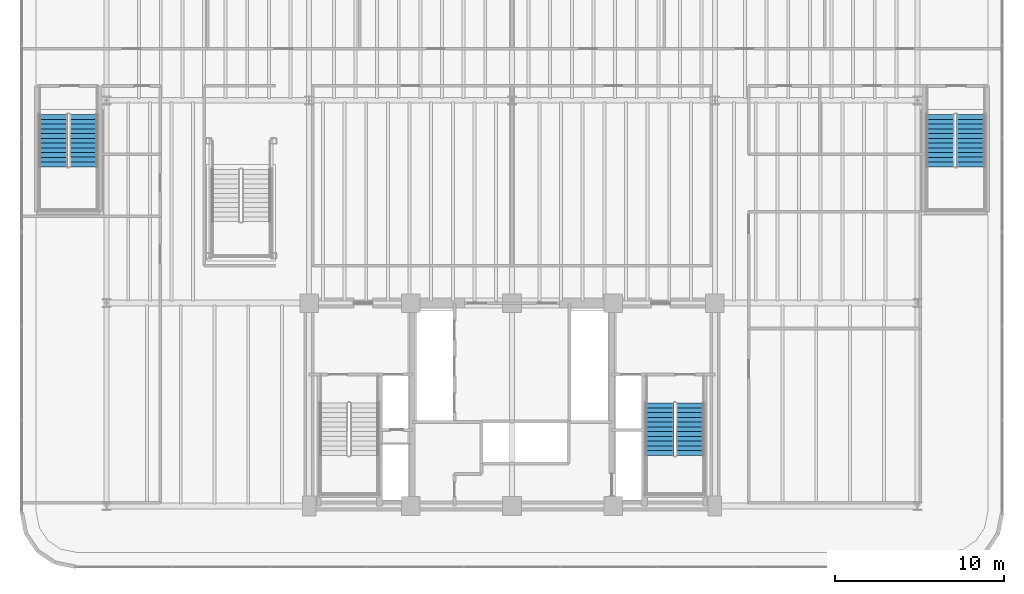
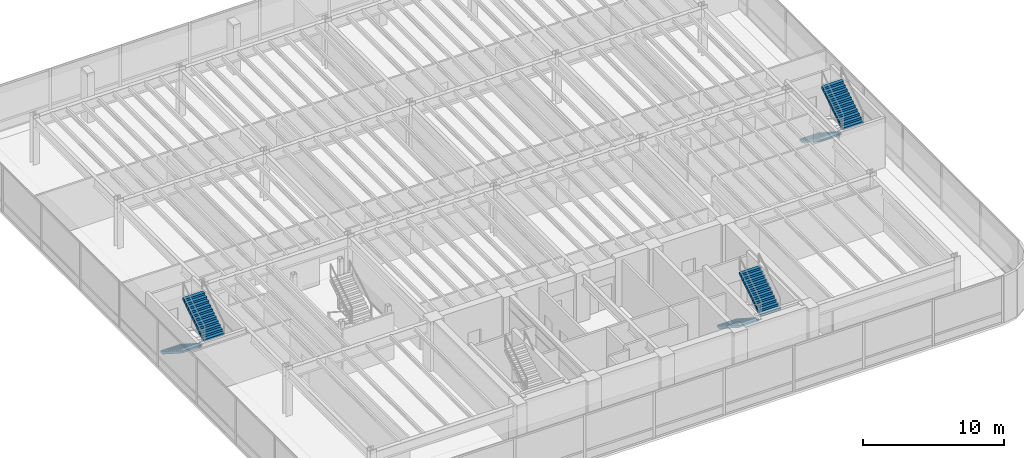
# One storey, part 15 of 18: 6 stair flights, 3 elements without a shape of their own.
"""IFC4 building model written with IfcOpenShell, lengths in metres."""

from ifc_helpers import new_model, si_unit, direction, frame, origin, place, context, subcontext, project, spatial, polyline, outline, extrude, material, type_object, element, aggregate, save


model = new_model("IFC4")

# Units and contexts
model_context = context("Model", 3, precision=1e-05, world=origin(), true_north=direction((0.0, 1.0)))
body_context = subcontext(model_context, "Body", "Model", "MODEL_VIEW")
ifc_project = project(units=[si_unit("LENGTHUNIT", "METRE"), si_unit("AREAUNIT", "SQUARE_METRE"), si_unit("VOLUMEUNIT", "CUBIC_METRE"), si_unit("PLANEANGLEUNIT", "RADIAN"), si_unit("MASSUNIT", "GRAM", prefix="KILO")], contexts=[model_context])

# Site, building, storey
site_placement = place(None, origin())
site = spatial("IfcSite", under=ifc_project, at=site_placement, CompositionType="ELEMENT")
building_placement = place(site_placement, origin())
building = spatial("IfcBuilding", under=site, at=building_placement, Name="Brelvock Crest Care Tower", CompositionType="ELEMENT")
storey_placement = place(building_placement, frame((0.0, 0.0, 5.39990234375)))
storey = spatial("IfcBuildingStorey", under=building, at=storey_placement, Name="L01", CompositionType="ELEMENT", Elevation=5.39990234375)

# Stair, stair flights
ifc_material = material(Name="Concrete N40 (40 MPa)", Category="concrete")
stair_type_1 = type_object("IfcStairType", Name="ST-CORE1", PredefinedType="HALF_TURN_STAIR", material=ifc_material)
stair_1_placement = place(storey_placement, origin())
stair_1 = element("IfcStair", 1, at=stair_1_placement, inside=storey, type_object=stair_type_1, Name="L01 Fire-Isolated Core Stair ST-2", PredefinedType="HALF_TURN_STAIR")
stair_flight_type_1 = type_object("IfcStairFlightType", Name="STF-1", PredefinedType="STRAIGHT", material=ifc_material)
stair_flight_1_placement = place(storey_placement, frame((44.72998046875, 12.080078125, 0.0), z_axis=(0.0, 0.0, 1.0), x_axis=(0.0, -1.0, 0.0)))
stair_flight_1 = element("IfcStairFlight", 2, at=stair_flight_1_placement, type_object=stair_flight_type_1, Name="ST-2 flight 1", NumberOfRisers=12, NumberOfTreads=11, PredefinedType="STRAIGHT", RiserHeight=0.18, TreadLength=0.28, context=body_context, shape_type="SweptSolid", body=[
    extrude(outline(polyline([(-0.00390625, -0.014892578125), (-0.00390625, -0.008056640625), (-0.00390625, -0.0009765625), (-0.00390625, 0.005859375), (-0.00390625, 0.012939453125), (-0.00390625, 0.019775390625), (-0.00390625, 0.02685546875), (-0.00390625, 0.03369140625), (-0.00390625, 0.040771484375), (-0.00390625, 0.047607421875), (-0.00390625, 0.0546875), (-0.00390625, 0.0615234375), (-0.00390625, 0.068603515625), (-0.00390625, 0.075439453125), (-0.00390625, 0.08251953125), (-0.00390625, 0.08935546875), (-0.00390625, 0.096435546875), (-0.00390625, 0.103271484375), (-0.00390625, 0.1103515625), (-0.00390625, 0.117431640625), (-0.00390625, 0.124267578125), (-0.00390625, 0.13134765625), (-0.00390625, 0.13818359375), (-0.00390625, 0.145263671875), (-0.00390625, 0.152099609375), (-0.00390625, 0.1591796875), (-0.00390625, 0.166015625), (-0.00390625, 0.173095703125), (-0.00390625, 0.179931640625), (0.0, 0.179931640625), (0.280029296875, 0.179931640625), (0.280029296875, 0.360107421875), (0.56005859375, 0.360107421875), (0.56005859375, 0.5400390625), (0.840087890625, 0.5400390625), (0.840087890625, 0.719970703125), (1.1201171875, 0.719970703125), (1.1201171875, 0.89990234375), (1.39990234375, 0.89990234375), (1.39990234375, 1.080078125), (1.679931640625, 1.080078125), (1.679931640625, 1.260009765625), (1.9599609375, 1.260009765625), (1.9599609375, 1.43994140625), (2.239990234375, 1.43994140625), (2.239990234375, 1.6201171875), (2.52001953125, 1.6201171875), (2.52001953125, 1.800048828125), (2.800048828125, 1.800048828125), (2.800048828125, 1.97998046875), (3.080078125, 1.97998046875), (3.083984375, 1.97998046875), (3.083740234375, 1.979248046875), (3.083984375, 1.978759765625), (3.083740234375, 1.97802734375), (3.083984375, 1.9775390625), (3.083740234375, 1.976806640625), (3.083984375, 1.97607421875), (3.083740234375, 1.9755859375), (3.083984375, 1.974853515625), (3.083740234375, 1.97412109375), (3.083984375, 1.9736328125), (3.083740234375, 1.972900390625), (3.083984375, 1.97216796875), (3.083740234375, 1.9716796875), (3.083984375, 1.970947265625), (3.083740234375, 1.970458984375), (3.083984375, 1.9697265625), (3.083740234375, 1.968994140625), (3.083984375, 1.968505859375), (3.083740234375, 1.9677734375), (3.083984375, 1.967041015625), (3.083740234375, 1.966552734375), (3.083984375, 1.9658203125), (3.083740234375, 1.96533203125), (3.083984375, 1.964599609375), (3.083740234375, 1.9638671875), (3.083984375, 1.96337890625), (3.083740234375, 1.962646484375), (3.083984375, 1.9619140625), (3.080078125, 1.8017578125), (0.277099609375, 0.0), (0.0, 0.0), (0.0, -0.014892578125), (-0.00390625, -0.014892578125)])), frame((0.0, 0.83984375, 0.0), z_axis=(0.0, -1.0, 0.0), x_axis=(1.0, 0.0, 0.0)), (0.0, 0.0, 1.0), 1.679931640625),
])
stair_flight_2_placement = place(storey_placement, frame((46.530029296875, 9.0, 2.16015625), z_axis=(0.0, 0.0, 1.0), x_axis=(0.0, 1.0, 0.0)))
stair_flight_2 = element("IfcStairFlight", 3, at=stair_flight_2_placement, type_object=stair_flight_type_1, Name="ST-2 flight 2", NumberOfRisers=12, NumberOfTreads=11, PredefinedType="STRAIGHT", RiserHeight=0.18, TreadLength=0.28, context=body_context, shape_type="SweptSolid", body=[
    extrude(outline(polyline([(-0.00390625, -0.014892578125), (-0.00390625, -0.008056640625), (-0.00390625, -0.0009765625), (-0.00390625, 0.005859375), (-0.00390625, 0.012939453125), (-0.00390625, 0.019775390625), (-0.00390625, 0.02685546875), (-0.00390625, 0.03369140625), (-0.00390625, 0.040771484375), (-0.00390625, 0.047607421875), (-0.00390625, 0.0546875), (-0.00390625, 0.0615234375), (-0.00390625, 0.068603515625), (-0.00390625, 0.075439453125), (-0.00390625, 0.08251953125), (-0.00390625, 0.08935546875), (-0.00390625, 0.096435546875), (-0.00390625, 0.103271484375), (-0.00390625, 0.1103515625), (-0.00390625, 0.117431640625), (-0.00390625, 0.124267578125), (-0.00390625, 0.13134765625), (-0.00390625, 0.13818359375), (-0.00390625, 0.145263671875), (-0.00390625, 0.152099609375), (-0.00390625, 0.1591796875), (-0.00390625, 0.166015625), (-0.00390625, 0.173095703125), (-0.00390625, 0.179931640625), (0.0, 0.179931640625), (0.280029296875, 0.179931640625), (0.280029296875, 0.360107421875), (0.56005859375, 0.360107421875), (0.56005859375, 0.5400390625), (0.840087890625, 0.5400390625), (0.840087890625, 0.719970703125), (1.1201171875, 0.719970703125), (1.1201171875, 0.89990234375), (1.39990234375, 0.89990234375), (1.39990234375, 1.080078125), (1.679931640625, 1.080078125), (1.679931640625, 1.260009765625), (1.9599609375, 1.260009765625), (1.9599609375, 1.43994140625), (2.239990234375, 1.43994140625), (2.239990234375, 1.6201171875), (2.52001953125, 1.6201171875), (2.52001953125, 1.800048828125), (2.800048828125, 1.800048828125), (2.800048828125, 1.97998046875), (3.080078125, 1.97998046875), (3.083984375, 1.97998046875), (3.083740234375, 1.979248046875), (3.083984375, 1.978759765625), (3.083740234375, 1.97802734375), (3.083984375, 1.9775390625), (3.083740234375, 1.976806640625), (3.083984375, 1.97607421875), (3.083740234375, 1.9755859375), (3.083984375, 1.974853515625), (3.083740234375, 1.97412109375), (3.083984375, 1.9736328125), (3.083740234375, 1.972900390625), (3.083984375, 1.97216796875), (3.083740234375, 1.9716796875), (3.083984375, 1.970947265625), (3.083740234375, 1.970458984375), (3.083984375, 1.9697265625), (3.083740234375, 1.968994140625), (3.083984375, 1.968505859375), (3.083740234375, 1.9677734375), (3.083984375, 1.967041015625), (3.083740234375, 1.966552734375), (3.083984375, 1.9658203125), (3.083740234375, 1.96533203125), (3.083984375, 1.964599609375), (3.083740234375, 1.9638671875), (3.083984375, 1.96337890625), (3.083740234375, 1.962646484375), (3.083984375, 1.9619140625), (3.080078125, 1.8017578125), (0.277099609375, 0.0), (0.0, 0.0), (0.0, -0.014892578125), (-0.00390625, -0.014892578125)])), frame((0.0, 0.83984375, 0.0), z_axis=(0.0, -1.0, 0.0), x_axis=(1.0, 0.0, 0.0)), (0.0, 0.0, 1.0), 1.679931640625),
])
aggregate(stair_1, [stair_flight_1, stair_flight_2])

stair_type_2 = type_object("IfcStairType", Name="ST-POD1", PredefinedType="HALF_TURN_STAIR", material=ifc_material)
stair_2_placement = place(storey_placement, origin())
stair_2 = element("IfcStair", 4, at=stair_2_placement, inside=storey, type_object=stair_type_2, Name="L01 Podium West Fire Stair ST-3", PredefinedType="HALF_TURN_STAIR")
stair_flight_type_2 = type_object("IfcStairFlightType", Name="STF-2", PredefinedType="STRAIGHT", material=ifc_material)
stair_flight_3_placement = place(storey_placement, frame((8.85009765625, 29.14990234375, 0.0), z_axis=(0.0, 0.0, 1.0), x_axis=(0.0, -1.0, 0.0)))
stair_flight_3 = element("IfcStairFlight", 5, at=stair_flight_3_placement, type_object=stair_flight_type_2, Name="ST-3 flight 1", NumberOfRisers=12, NumberOfTreads=11, PredefinedType="STRAIGHT", RiserHeight=0.18, TreadLength=0.28, context=body_context, shape_type="SweptSolid", body=[
    extrude(outline(polyline([(-0.00390625, -0.014892578125), (-0.00390625, -0.008056640625), (-0.00390625, -0.0009765625), (-0.00390625, 0.005859375), (-0.00390625, 0.012939453125), (-0.00390625, 0.019775390625), (-0.00390625, 0.02685546875), (-0.00390625, 0.03369140625), (-0.00390625, 0.040771484375), (-0.00390625, 0.047607421875), (-0.00390625, 0.0546875), (-0.00390625, 0.0615234375), (-0.00390625, 0.068603515625), (-0.00390625, 0.075439453125), (-0.00390625, 0.08251953125), (-0.00390625, 0.08935546875), (-0.00390625, 0.096435546875), (-0.00390625, 0.103271484375), (-0.00390625, 0.1103515625), (-0.00390625, 0.117431640625), (-0.00390625, 0.124267578125), (-0.00390625, 0.13134765625), (-0.00390625, 0.13818359375), (-0.00390625, 0.145263671875), (-0.00390625, 0.152099609375), (-0.00390625, 0.1591796875), (-0.00390625, 0.166015625), (-0.00390625, 0.173095703125), (-0.00390625, 0.179931640625), (0.0, 0.179931640625), (0.280029296875, 0.179931640625), (0.280029296875, 0.360107421875), (0.56005859375, 0.360107421875), (0.56005859375, 0.5400390625), (0.840087890625, 0.5400390625), (0.840087890625, 0.719970703125), (1.1201171875, 0.719970703125), (1.1201171875, 0.89990234375), (1.39990234375, 0.89990234375), (1.39990234375, 1.080078125), (1.679931640625, 1.080078125), (1.679931640625, 1.260009765625), (1.9599609375, 1.260009765625), (1.9599609375, 1.43994140625), (2.239990234375, 1.43994140625), (2.239990234375, 1.6201171875), (2.52001953125, 1.6201171875), (2.52001953125, 1.800048828125), (2.800048828125, 1.800048828125), (2.800048828125, 1.97998046875), (3.080078125, 1.97998046875), (3.083984375, 1.97998046875), (3.083740234375, 1.979248046875), (3.083984375, 1.978759765625), (3.083740234375, 1.97802734375), (3.083984375, 1.9775390625), (3.083740234375, 1.976806640625), (3.083984375, 1.97607421875), (3.083740234375, 1.9755859375), (3.083984375, 1.974853515625), (3.083740234375, 1.97412109375), (3.083984375, 1.9736328125), (3.083740234375, 1.972900390625), (3.083984375, 1.97216796875), (3.083740234375, 1.9716796875), (3.083984375, 1.970947265625), (3.083740234375, 1.970458984375), (3.083984375, 1.9697265625), (3.083740234375, 1.968994140625), (3.083984375, 1.968505859375), (3.083740234375, 1.9677734375), (3.083984375, 1.967041015625), (3.083740234375, 1.966552734375), (3.083984375, 1.9658203125), (3.083740234375, 1.96533203125), (3.083984375, 1.964599609375), (3.083740234375, 1.9638671875), (3.083984375, 1.96337890625), (3.083740234375, 1.962646484375), (3.083984375, 1.9619140625), (3.080078125, 1.8017578125), (0.277099609375, 0.0), (0.0, 0.0), (0.0, -0.014892578125), (-0.00390625, -0.014892578125)])), frame((0.0, 0.83984375, 0.0), z_axis=(0.0, -1.0, 0.0), x_axis=(1.0, 0.0, 0.0)), (0.0, 0.0, 1.0), 1.679931640625),
])
stair_flight_4_placement = place(storey_placement, frame((10.64990234375, 26.070068359375, 2.16015625), z_axis=(0.0, 0.0, 1.0), x_axis=(0.0, 1.0, 0.0)))
stair_flight_4 = element("IfcStairFlight", 6, at=stair_flight_4_placement, type_object=stair_flight_type_2, Name="ST-3 flight 2", NumberOfRisers=12, NumberOfTreads=11, PredefinedType="STRAIGHT", RiserHeight=0.18, TreadLength=0.28, context=body_context, shape_type="SweptSolid", body=[
    extrude(outline(polyline([(-0.00390625, -0.014892578125), (-0.00390625, -0.008056640625), (-0.00390625, -0.0009765625), (-0.00390625, 0.005859375), (-0.00390625, 0.012939453125), (-0.00390625, 0.019775390625), (-0.00390625, 0.02685546875), (-0.00390625, 0.03369140625), (-0.00390625, 0.040771484375), (-0.00390625, 0.047607421875), (-0.00390625, 0.0546875), (-0.00390625, 0.0615234375), (-0.00390625, 0.068603515625), (-0.00390625, 0.075439453125), (-0.00390625, 0.08251953125), (-0.00390625, 0.08935546875), (-0.00390625, 0.096435546875), (-0.00390625, 0.103271484375), (-0.00390625, 0.1103515625), (-0.00390625, 0.117431640625), (-0.00390625, 0.124267578125), (-0.00390625, 0.13134765625), (-0.00390625, 0.13818359375), (-0.00390625, 0.145263671875), (-0.00390625, 0.152099609375), (-0.00390625, 0.1591796875), (-0.00390625, 0.166015625), (-0.00390625, 0.173095703125), (-0.00390625, 0.179931640625), (0.0, 0.179931640625), (0.280029296875, 0.179931640625), (0.280029296875, 0.360107421875), (0.56005859375, 0.360107421875), (0.56005859375, 0.5400390625), (0.840087890625, 0.5400390625), (0.840087890625, 0.719970703125), (1.1201171875, 0.719970703125), (1.1201171875, 0.89990234375), (1.39990234375, 0.89990234375), (1.39990234375, 1.080078125), (1.679931640625, 1.080078125), (1.679931640625, 1.260009765625), (1.9599609375, 1.260009765625), (1.9599609375, 1.43994140625), (2.239990234375, 1.43994140625), (2.239990234375, 1.6201171875), (2.52001953125, 1.6201171875), (2.52001953125, 1.800048828125), (2.800048828125, 1.800048828125), (2.800048828125, 1.97998046875), (3.080078125, 1.97998046875), (3.083984375, 1.97998046875), (3.083740234375, 1.979248046875), (3.083984375, 1.978759765625), (3.083740234375, 1.97802734375), (3.083984375, 1.9775390625), (3.083740234375, 1.976806640625), (3.083984375, 1.97607421875), (3.083740234375, 1.9755859375), (3.083984375, 1.974853515625), (3.083740234375, 1.97412109375), (3.083984375, 1.9736328125), (3.083740234375, 1.972900390625), (3.083984375, 1.97216796875), (3.083740234375, 1.9716796875), (3.083984375, 1.970947265625), (3.083740234375, 1.970458984375), (3.083984375, 1.9697265625), (3.083740234375, 1.968994140625), (3.083984375, 1.968505859375), (3.083740234375, 1.9677734375), (3.083984375, 1.967041015625), (3.083740234375, 1.966552734375), (3.083984375, 1.9658203125), (3.083740234375, 1.96533203125), (3.083984375, 1.964599609375), (3.083740234375, 1.9638671875), (3.083984375, 1.96337890625), (3.083740234375, 1.962646484375), (3.083984375, 1.9619140625), (3.080078125, 1.8017578125), (0.277099609375, 0.0), (0.0, 0.0), (0.0, -0.014892578125), (-0.00390625, -0.014892578125)])), frame((0.0, 0.83984375, 0.0), z_axis=(0.0, -1.0, 0.0), x_axis=(1.0, 0.0, 0.0)), (0.0, 0.0, 1.0), 1.679931640625),
])
aggregate(stair_2, [stair_flight_3, stair_flight_4])

stair_3_placement = place(storey_placement, origin())
stair_3 = element("IfcStair", 7, at=stair_3_placement, inside=storey, type_object=stair_type_2, Name="L01 Podium East Fire Stair ST-4", PredefinedType="HALF_TURN_STAIR")
stair_flight_5_placement = place(storey_placement, frame((61.35009765625, 29.14990234375, 0.0), z_axis=(0.0, 0.0, 1.0), x_axis=(0.0, -1.0, 0.0)))
stair_flight_5 = element("IfcStairFlight", 8, at=stair_flight_5_placement, type_object=stair_flight_type_2, Name="ST-4 flight 1", NumberOfRisers=12, NumberOfTreads=11, PredefinedType="STRAIGHT", RiserHeight=0.18, TreadLength=0.28, context=body_context, shape_type="SweptSolid", body=[
    extrude(outline(polyline([(-0.00390625, -0.014892578125), (-0.00390625, -0.008056640625), (-0.00390625, -0.0009765625), (-0.00390625, 0.005859375), (-0.00390625, 0.012939453125), (-0.00390625, 0.019775390625), (-0.00390625, 0.02685546875), (-0.00390625, 0.03369140625), (-0.00390625, 0.040771484375), (-0.00390625, 0.047607421875), (-0.00390625, 0.0546875), (-0.00390625, 0.0615234375), (-0.00390625, 0.068603515625), (-0.00390625, 0.075439453125), (-0.00390625, 0.08251953125), (-0.00390625, 0.08935546875), (-0.00390625, 0.096435546875), (-0.00390625, 0.103271484375), (-0.00390625, 0.1103515625), (-0.00390625, 0.117431640625), (-0.00390625, 0.124267578125), (-0.00390625, 0.13134765625), (-0.00390625, 0.13818359375), (-0.00390625, 0.145263671875), (-0.00390625, 0.152099609375), (-0.00390625, 0.1591796875), (-0.00390625, 0.166015625), (-0.00390625, 0.173095703125), (-0.00390625, 0.179931640625), (0.0, 0.179931640625), (0.280029296875, 0.179931640625), (0.280029296875, 0.360107421875), (0.56005859375, 0.360107421875), (0.56005859375, 0.5400390625), (0.840087890625, 0.5400390625), (0.840087890625, 0.719970703125), (1.1201171875, 0.719970703125), (1.1201171875, 0.89990234375), (1.39990234375, 0.89990234375), (1.39990234375, 1.080078125), (1.679931640625, 1.080078125), (1.679931640625, 1.260009765625), (1.9599609375, 1.260009765625), (1.9599609375, 1.43994140625), (2.239990234375, 1.43994140625), (2.239990234375, 1.6201171875), (2.52001953125, 1.6201171875), (2.52001953125, 1.800048828125), (2.800048828125, 1.800048828125), (2.800048828125, 1.97998046875), (3.080078125, 1.97998046875), (3.083984375, 1.97998046875), (3.083740234375, 1.979248046875), (3.083984375, 1.978759765625), (3.083740234375, 1.97802734375), (3.083984375, 1.9775390625), (3.083740234375, 1.976806640625), (3.083984375, 1.97607421875), (3.083740234375, 1.9755859375), (3.083984375, 1.974853515625), (3.083740234375, 1.97412109375), (3.083984375, 1.9736328125), (3.083740234375, 1.972900390625), (3.083984375, 1.97216796875), (3.083740234375, 1.9716796875), (3.083984375, 1.970947265625), (3.083740234375, 1.970458984375), (3.083984375, 1.9697265625), (3.083740234375, 1.968994140625), (3.083984375, 1.968505859375), (3.083740234375, 1.9677734375), (3.083984375, 1.967041015625), (3.083740234375, 1.966552734375), (3.083984375, 1.9658203125), (3.083740234375, 1.96533203125), (3.083984375, 1.964599609375), (3.083740234375, 1.9638671875), (3.083984375, 1.96337890625), (3.083740234375, 1.962646484375), (3.083984375, 1.9619140625), (3.080078125, 1.8017578125), (0.277099609375, 0.0), (0.0, 0.0), (0.0, -0.014892578125), (-0.00390625, -0.014892578125)])), frame((0.0, 0.83984375, 0.0), z_axis=(0.0, -1.0, 0.0), x_axis=(1.0, 0.0, 0.0)), (0.0, 0.0, 1.0), 1.679931640625),
])
stair_flight_6_placement = place(storey_placement, frame((63.14990234375, 26.070068359375, 2.16015625), z_axis=(0.0, 0.0, 1.0), x_axis=(0.0, 1.0, 0.0)))
stair_flight_6 = element("IfcStairFlight", 9, at=stair_flight_6_placement, type_object=stair_flight_type_2, Name="ST-4 flight 2", NumberOfRisers=12, NumberOfTreads=11, PredefinedType="STRAIGHT", RiserHeight=0.18, TreadLength=0.28, context=body_context, shape_type="SweptSolid", body=[
    extrude(outline(polyline([(-0.00390625, -0.014892578125), (-0.00390625, -0.008056640625), (-0.00390625, -0.0009765625), (-0.00390625, 0.005859375), (-0.00390625, 0.012939453125), (-0.00390625, 0.019775390625), (-0.00390625, 0.02685546875), (-0.00390625, 0.03369140625), (-0.00390625, 0.040771484375), (-0.00390625, 0.047607421875), (-0.00390625, 0.0546875), (-0.00390625, 0.0615234375), (-0.00390625, 0.068603515625), (-0.00390625, 0.075439453125), (-0.00390625, 0.08251953125), (-0.00390625, 0.08935546875), (-0.00390625, 0.096435546875), (-0.00390625, 0.103271484375), (-0.00390625, 0.1103515625), (-0.00390625, 0.117431640625), (-0.00390625, 0.124267578125), (-0.00390625, 0.13134765625), (-0.00390625, 0.13818359375), (-0.00390625, 0.145263671875), (-0.00390625, 0.152099609375), (-0.00390625, 0.1591796875), (-0.00390625, 0.166015625), (-0.00390625, 0.173095703125), (-0.00390625, 0.179931640625), (0.0, 0.179931640625), (0.280029296875, 0.179931640625), (0.280029296875, 0.360107421875), (0.56005859375, 0.360107421875), (0.56005859375, 0.5400390625), (0.840087890625, 0.5400390625), (0.840087890625, 0.719970703125), (1.1201171875, 0.719970703125), (1.1201171875, 0.89990234375), (1.39990234375, 0.89990234375), (1.39990234375, 1.080078125), (1.679931640625, 1.080078125), (1.679931640625, 1.260009765625), (1.9599609375, 1.260009765625), (1.9599609375, 1.43994140625), (2.239990234375, 1.43994140625), (2.239990234375, 1.6201171875), (2.52001953125, 1.6201171875), (2.52001953125, 1.800048828125), (2.800048828125, 1.800048828125), (2.800048828125, 1.97998046875), (3.080078125, 1.97998046875), (3.083984375, 1.97998046875), (3.083740234375, 1.979248046875), (3.083984375, 1.978759765625), (3.083740234375, 1.97802734375), (3.083984375, 1.9775390625), (3.083740234375, 1.976806640625), (3.083984375, 1.97607421875), (3.083740234375, 1.9755859375), (3.083984375, 1.974853515625), (3.083740234375, 1.97412109375), (3.083984375, 1.9736328125), (3.083740234375, 1.972900390625), (3.083984375, 1.97216796875), (3.083740234375, 1.9716796875), (3.083984375, 1.970947265625), (3.083740234375, 1.970458984375), (3.083984375, 1.9697265625), (3.083740234375, 1.968994140625), (3.083984375, 1.968505859375), (3.083740234375, 1.9677734375), (3.083984375, 1.967041015625), (3.083740234375, 1.966552734375), (3.083984375, 1.9658203125), (3.083740234375, 1.96533203125), (3.083984375, 1.964599609375), (3.083740234375, 1.9638671875), (3.083984375, 1.96337890625), (3.083740234375, 1.962646484375), (3.083984375, 1.9619140625), (3.080078125, 1.8017578125), (0.277099609375, 0.0), (0.0, 0.0), (0.0, -0.014892578125), (-0.00390625, -0.014892578125)])), frame((0.0, 0.83984375, 0.0), z_axis=(0.0, -1.0, 0.0), x_axis=(1.0, 0.0, 0.0)), (0.0, 0.0, 1.0), 1.679931640625),
])
aggregate(stair_3, [stair_flight_5, stair_flight_6])

save(model, "model.ifc")
